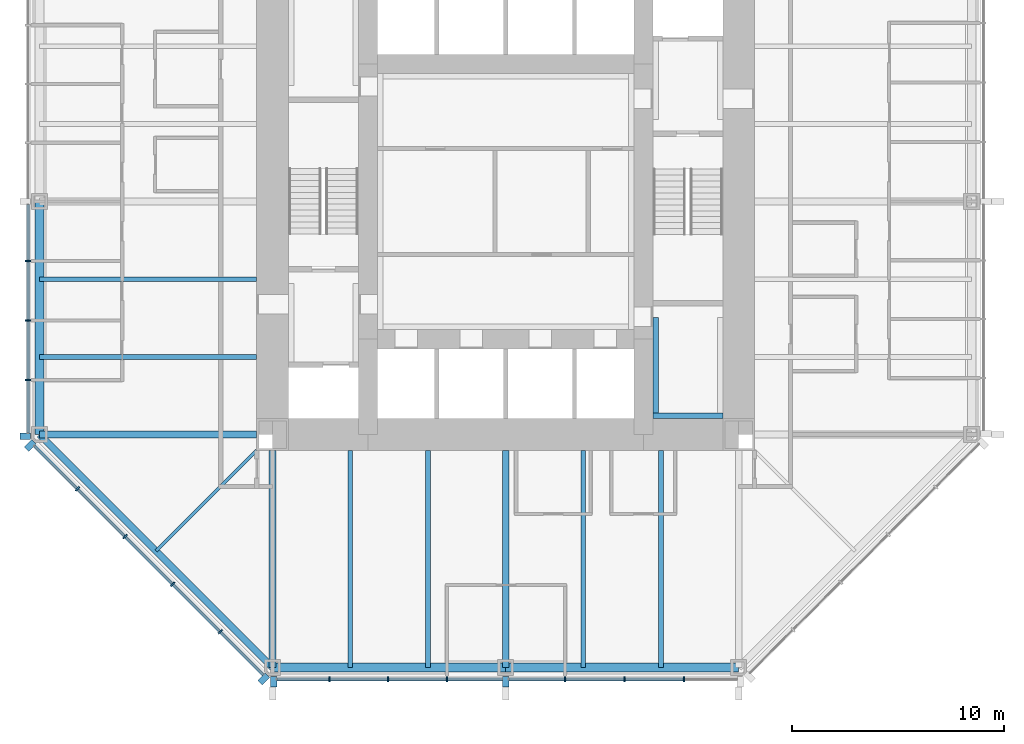
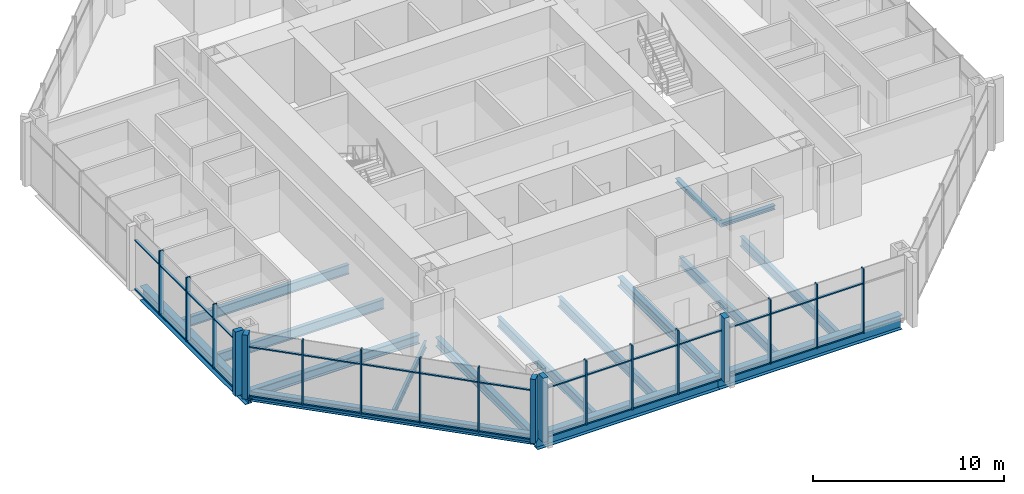
# One storey, part 2 of 14: 50 members, 16 beams, 3 elements without a shape of their own.
"""IFC4 building model written with IfcOpenShell, lengths in metres."""

from ifc_helpers import new_model, si_unit, direction, frame, origin, origin_2d, place, context, subcontext, project, spatial, rectangle, i_section, extrude, material, material_profile, profile_set, type_object, element, aggregate, save


model = new_model("IFC4")

# Units and contexts
model_context = context("Model", 3, precision=1e-05, world=origin(), true_north=direction((0.0, 1.0)))
body_context = subcontext(model_context, "Body", "Model", "MODEL_VIEW")
ifc_project = project(units=[si_unit("LENGTHUNIT", "METRE"), si_unit("AREAUNIT", "SQUARE_METRE"), si_unit("VOLUMEUNIT", "CUBIC_METRE"), si_unit("PLANEANGLEUNIT", "RADIAN"), si_unit("MASSUNIT", "GRAM", prefix="KILO")], contexts=[model_context])

# Site, building, storey
site_placement = place(None, origin())
site = spatial("IfcSite", under=ifc_project, at=site_placement, CompositionType="ELEMENT")
building_placement = place(site_placement, origin())
building = spatial("IfcBuilding", under=site, at=building_placement, Name="Trevanion Tower", CompositionType="ELEMENT")
storey_placement = place(building_placement, frame((0.0, 0.0, 104.89990234375)))
storey = spatial("IfcBuildingStorey", under=building, at=storey_placement, Name="L24", CompositionType="ELEMENT", Elevation=104.89990234375)

# Beams
ifc_material_1 = material(Name="Steel ASTM A992 Grade 50", Category="steel")
ifc_material_profile_1 = material_profile(ifc_material_1, i_section(OverallWidth=0.22900390625, OverallDepth=0.612060546875, WebThickness=0.011962890625, FlangeThickness=0.01953125, at=origin_2d()), Name="W24X84")
ifc_profile_set_1 = profile_set([ifc_material_profile_1], Name="Steel ASTM A992 Grade 50")
beam_type_1 = type_object("IfcBeamType", Name="B7 W24X84", PredefinedType="BEAM", material=ifc_profile_set_1)
for number, where, z_axis, x_axis, name in (
    (1, (-11.75, -3.666748046875, -0.49609375), (-1.0, 0.0, 0.0), (0.0, -1.0, 0.0), "B7 L24"),
    (2, (-11.75, -7.333251953125, -0.49609375), (-1.0, 0.0, 0.0), (0.0, -1.0, 0.0), "B7 L24"),
    (3, (-7.333251953125, -11.75, -0.49609375), (0.0, -1.0, 0.0), (1.0, 0.0, 0.0), "B7 L24"),
    (4, (-3.666748046875, -11.75, -0.49609375), (0.0, -1.0, 0.0), (1.0, 0.0, 0.0), "B7 L24"),
    (5, (3.666748046875, -11.75, -0.49609375), (0.0, -1.0, 0.0), (1.0, 0.0, 0.0), "B7 L24"),
    (6, (7.333251953125, -11.75, -0.49609375), (0.0, -1.0, 0.0), (1.0, 0.0, 0.0), "B7 L24"),
):
    element("IfcBeam", number, at=place(storey_placement, frame(where, z_axis=z_axis, x_axis=x_axis)), inside=storey, type_object=beam_type_1, Name=name, PredefinedType="BEAM", context=body_context, shape_type="SweptSolid", body=[
        extrude(i_section(OverallWidth=0.22900390625, OverallDepth=0.612060546875, WebThickness=0.011962890625, FlangeThickness=0.01953125, at=origin_2d()), origin(), (0.0, 0.0, 1.0), 10.25),
    ])
ifc_material_2 = material(Name="Steel ASTM A992 Grade 50", Category="steel")
ifc_material_profile_2 = material_profile(ifc_material_2, i_section(OverallWidth=0.15234375, OverallDepth=0.449462890625, WebThickness=0.007568359375, FlangeThickness=0.0107421875, at=origin_2d()), Name="W18X35")
ifc_profile_set_2 = profile_set([ifc_material_profile_2], Name="Steel ASTM A992 Grade 50")
beam_type_2 = type_object("IfcBeamType", Name="B8 W18X35", PredefinedType="BEAM", material=ifc_profile_set_2)
beam_1_placement = place(storey_placement, frame((-11.75, -11.75, -0.414794921875), z_axis=(-0.707106781187, -0.707106781187, 0.0), x_axis=(0.707106781187, -0.707106781187, 0.0)))
element("IfcBeam", 7, at=beam_1_placement, inside=storey, type_object=beam_type_2, Name="B8 L24", PredefinedType="BEAM", context=body_context, shape_type="SweptSolid", body=[
    extrude(i_section(OverallWidth=0.15234375, OverallDepth=0.449462890625, WebThickness=0.007568359375, FlangeThickness=0.0107421875, at=origin_2d()), origin(), (0.0, 0.0, 1.0), 6.717529296875),
])

# Curtain wall, members
ifc_material_3 = material(Name="Aluminium and glass", Category="aluminium")
curtain_wall_type = type_object("IfcCurtainWallType", Name="CW2 curtain wall", PredefinedType="USERDEFINED", material=ifc_material_3)
curtain_wall_1_placement = place(storey_placement, origin())
curtain_wall_1 = element("IfcCurtainWall", 8, at=curtain_wall_1_placement, inside=storey, type_object=curtain_wall_type, Name="CW2 L24 4", ObjectType="UNITISED CURTAIN WALL", PredefinedType="USERDEFINED")
ifc_material_4 = material(Name="Aluminium extrusion, anodised bronze", Category="aluminium")
ifc_material_profile_3 = material_profile(ifc_material_4, rectangle(XDim=0.074951171875, YDim=0.25, at=origin_2d()), Name="CW2 mullion")
ifc_profile_set_3 = profile_set([ifc_material_profile_3], Name="Aluminium extrusion, anodised bronze")
member_type_1 = type_object("IfcMemberType", Name="CW2 mullion", PredefinedType="MULLION", material=ifc_profile_set_3)
member_1_placement = place(storey_placement, frame((-22.550048828125, -2.806884765625, -0.18994140625), z_axis=(0.0, 0.0, 1.0), x_axis=(0.0, -1.0, 0.0)))
member_1 = element("IfcMember", 9, at=member_1_placement, type_object=member_type_1, Name="CW2 mullion 6", PredefinedType="MULLION", context=body_context, shape_type="SweptSolid", body=[
    extrude(rectangle(XDim=0.074951171875, YDim=0.25, at=origin_2d()), origin(), (0.0, 0.0, 1.0), 4.10009765625),
])
member_2_placement = place(storey_placement, frame((-22.550048828125, -5.614013671875, -0.18994140625), z_axis=(0.0, 0.0, 1.0), x_axis=(0.0, -1.0, 0.0)))
member_2 = element("IfcMember", 10, at=member_2_placement, type_object=member_type_1, Name="CW2 mullion 7", PredefinedType="MULLION", context=body_context, shape_type="SweptSolid", body=[
    extrude(rectangle(XDim=0.074951171875, YDim=0.25, at=origin_2d()), origin(), (0.0, 0.0, 1.0), 4.10009765625),
])
member_3_placement = place(storey_placement, frame((-22.550048828125, -8.4208984375, -0.18994140625), z_axis=(0.0, 0.0, 1.0), x_axis=(0.0, -1.0, 0.0)))
member_3 = element("IfcMember", 11, at=member_3_placement, type_object=member_type_1, Name="CW2 mullion 8", PredefinedType="MULLION", context=body_context, shape_type="SweptSolid", body=[
    extrude(rectangle(XDim=0.074951171875, YDim=0.25, at=origin_2d()), origin(), (0.0, 0.0, 1.0), 4.10009765625),
])

curtain_wall_2_placement = place(storey_placement, origin())
curtain_wall_2 = element("IfcCurtainWall", 12, at=curtain_wall_2_placement, inside=storey, type_object=curtain_wall_type, Name="CW2 L24 5", ObjectType="UNITISED CURTAIN WALL", PredefinedType="USERDEFINED")
member_4_placement = place(storey_placement, frame((-20.2119140625, -13.56591796875, -0.18994140625), z_axis=(0.0, 0.0, 1.0), x_axis=(0.707106781187, -0.707106781187, 0.0)))
member_4 = element("IfcMember", 13, at=member_4_placement, type_object=member_type_1, Name="CW2 mullion 2", PredefinedType="MULLION", context=body_context, shape_type="SweptSolid", body=[
    extrude(rectangle(XDim=0.074951171875, YDim=0.25, at=origin_2d()), origin(), (0.0, 0.0, 1.0), 4.10009765625),
])
member_5_placement = place(storey_placement, frame((-17.966064453125, -15.811767578125, -0.18994140625), z_axis=(0.0, 0.0, 1.0), x_axis=(0.707106781187, -0.707106781187, 0.0)))
member_5 = element("IfcMember", 14, at=member_5_placement, type_object=member_type_1, Name="CW2 mullion 3", PredefinedType="MULLION", context=body_context, shape_type="SweptSolid", body=[
    extrude(rectangle(XDim=0.074951171875, YDim=0.25, at=origin_2d()), origin(), (0.0, 0.0, 1.0), 4.10009765625),
])
member_6_placement = place(storey_placement, frame((-15.719970703125, -18.057861328125, -0.18994140625), z_axis=(0.0, 0.0, 1.0), x_axis=(0.707106781187, -0.707106781187, 0.0)))
member_6 = element("IfcMember", 15, at=member_6_placement, type_object=member_type_1, Name="CW2 mullion 4", PredefinedType="MULLION", context=body_context, shape_type="SweptSolid", body=[
    extrude(rectangle(XDim=0.074951171875, YDim=0.25, at=origin_2d()), origin(), (0.0, 0.0, 1.0), 4.10009765625),
])
member_7_placement = place(storey_placement, frame((-13.473876953125, -20.303955078125, -0.18994140625), z_axis=(0.0, 0.0, 1.0), x_axis=(0.707106781187, -0.707106781187, 0.0)))
member_7 = element("IfcMember", 16, at=member_7_placement, type_object=member_type_1, Name="CW2 mullion 5", PredefinedType="MULLION", context=body_context, shape_type="SweptSolid", body=[
    extrude(rectangle(XDim=0.074951171875, YDim=0.25, at=origin_2d()), origin(), (0.0, 0.0, 1.0), 4.10009765625),
])

curtain_wall_3_placement = place(storey_placement, origin())
curtain_wall_3 = element("IfcCurtainWall", 17, at=curtain_wall_3_placement, inside=storey, type_object=curtain_wall_type, Name="CW2 L24 6", ObjectType="UNITISED CURTAIN WALL", PredefinedType="USERDEFINED")
member_8_placement = place(storey_placement, frame((-8.323486328125, -22.550048828125, -0.18994140625), z_axis=(0.0, 0.0, 1.0), x_axis=(1.0, 0.0, 0.0)))
member_8 = element("IfcMember", 18, at=member_8_placement, type_object=member_type_1, Name="CW2 mullion 2", PredefinedType="MULLION", context=body_context, shape_type="SweptSolid", body=[
    extrude(rectangle(XDim=0.074951171875, YDim=0.25, at=origin_2d()), origin(), (0.0, 0.0, 1.0), 4.10009765625),
])
member_9_placement = place(storey_placement, frame((-5.548828125, -22.550048828125, -0.18994140625), z_axis=(0.0, 0.0, 1.0), x_axis=(1.0, 0.0, 0.0)))
member_9 = element("IfcMember", 19, at=member_9_placement, type_object=member_type_1, Name="CW2 mullion 3", PredefinedType="MULLION", context=body_context, shape_type="SweptSolid", body=[
    extrude(rectangle(XDim=0.074951171875, YDim=0.25, at=origin_2d()), origin(), (0.0, 0.0, 1.0), 4.10009765625),
])
member_10_placement = place(storey_placement, frame((-2.7744140625, -22.550048828125, -0.18994140625), z_axis=(0.0, 0.0, 1.0), x_axis=(1.0, 0.0, 0.0)))
member_10 = element("IfcMember", 20, at=member_10_placement, type_object=member_type_1, Name="CW2 mullion 4", PredefinedType="MULLION", context=body_context, shape_type="SweptSolid", body=[
    extrude(rectangle(XDim=0.074951171875, YDim=0.25, at=origin_2d()), origin(), (0.0, 0.0, 1.0), 4.10009765625),
])
member_11_placement = place(storey_placement, frame((2.806884765625, -22.550048828125, -0.18994140625), z_axis=(0.0, 0.0, 1.0), x_axis=(1.0, 0.0, 0.0)))
member_11 = element("IfcMember", 21, at=member_11_placement, type_object=member_type_1, Name="CW2 mullion 6", PredefinedType="MULLION", context=body_context, shape_type="SweptSolid", body=[
    extrude(rectangle(XDim=0.074951171875, YDim=0.25, at=origin_2d()), origin(), (0.0, 0.0, 1.0), 4.10009765625),
])
member_12_placement = place(storey_placement, frame((5.614013671875, -22.550048828125, -0.18994140625), z_axis=(0.0, 0.0, 1.0), x_axis=(1.0, 0.0, 0.0)))
member_12 = element("IfcMember", 22, at=member_12_placement, type_object=member_type_1, Name="CW2 mullion 7", PredefinedType="MULLION", context=body_context, shape_type="SweptSolid", body=[
    extrude(rectangle(XDim=0.074951171875, YDim=0.25, at=origin_2d()), origin(), (0.0, 0.0, 1.0), 4.10009765625),
])
member_13_placement = place(storey_placement, frame((8.4208984375, -22.550048828125, -0.18994140625), z_axis=(0.0, 0.0, 1.0), x_axis=(1.0, 0.0, 0.0)))
member_13 = element("IfcMember", 23, at=member_13_placement, type_object=member_type_1, Name="CW2 mullion 8", PredefinedType="MULLION", context=body_context, shape_type="SweptSolid", body=[
    extrude(rectangle(XDim=0.074951171875, YDim=0.25, at=origin_2d()), origin(), (0.0, 0.0, 1.0), 4.10009765625),
])

# Member
ifc_material_5 = material(Name="Aluminium extrusion, anodised bronze", Category="aluminium")
ifc_material_profile_4 = material_profile(ifc_material_5, rectangle(XDim=0.300048828125, YDim=0.5, at=origin_2d()), Name="CW2 pier mullion")
ifc_profile_set_4 = profile_set([ifc_material_profile_4], Name="Aluminium extrusion, anodised bronze")
member_type_2 = type_object("IfcMemberType", Name="CW2 pier mullion", PredefinedType="MULLION", material=ifc_profile_set_4)
member_14_placement = place(storey_placement, frame((-22.675048828125, -11.077880859375, -0.18994140625), z_axis=(0.0, 0.0, 1.0), x_axis=(0.0, -1.0, 0.0)))
member_14 = element("IfcMember", 24, at=member_14_placement, type_object=member_type_2, Name="CW2 pier mullion 9", PredefinedType="MULLION", context=body_context, shape_type="SweptSolid", body=[
    extrude(rectangle(XDim=0.300048828125, YDim=0.5, at=origin_2d()), origin(), (0.0, 0.0, 1.0), 4.10009765625),
])

member_15_placement = place(storey_placement, frame((-22.4404296875, -11.51416015625, -0.18994140625), z_axis=(0.0, 0.0, 1.0), x_axis=(0.707106781187, -0.707106781187, 0.0)))
member_15 = element("IfcMember", 25, at=member_15_placement, type_object=member_type_2, Name="CW2 pier mullion 1", PredefinedType="MULLION", context=body_context, shape_type="SweptSolid", body=[
    extrude(rectangle(XDim=0.300048828125, YDim=0.5, at=origin_2d()), origin(), (0.0, 0.0, 1.0), 4.10009765625),
])

member_16_placement = place(storey_placement, frame((-11.42236328125, -22.5322265625, -0.18994140625), z_axis=(0.0, 0.0, 1.0), x_axis=(0.707106781187, -0.707106781187, 0.0)))
member_16 = element("IfcMember", 26, at=member_16_placement, type_object=member_type_2, Name="CW2 pier mullion 6", PredefinedType="MULLION", context=body_context, shape_type="SweptSolid", body=[
    extrude(rectangle(XDim=0.300048828125, YDim=0.5, at=origin_2d()), origin(), (0.0, 0.0, 1.0), 4.10009765625),
])

member_17_placement = place(storey_placement, frame((-10.94775390625, -22.675048828125, -0.18994140625), z_axis=(0.0, 0.0, 1.0), x_axis=(1.0, 0.0, 0.0)))
member_17 = element("IfcMember", 27, at=member_17_placement, type_object=member_type_2, Name="CW2 pier mullion 1", PredefinedType="MULLION", context=body_context, shape_type="SweptSolid", body=[
    extrude(rectangle(XDim=0.300048828125, YDim=0.5, at=origin_2d()), origin(), (0.0, 0.0, 1.0), 4.10009765625),
])

member_18_placement = place(storey_placement, frame((0.0, -22.675048828125, -0.18994140625), z_axis=(0.0, 0.0, 1.0), x_axis=(1.0, 0.0, 0.0)))
member_18 = element("IfcMember", 28, at=member_18_placement, type_object=member_type_2, Name="CW2 pier mullion 5", PredefinedType="MULLION", context=body_context, shape_type="SweptSolid", body=[
    extrude(rectangle(XDim=0.300048828125, YDim=0.5, at=origin_2d()), origin(), (0.0, 0.0, 1.0), 4.10009765625),
])

ifc_material_6 = material(Name="Aluminium extrusion, anodised bronze", Category="aluminium")
ifc_material_profile_5 = material_profile(ifc_material_6, rectangle(XDim=0.14990234375, YDim=0.074951171875, at=origin_2d()), Name="CW2 transom")
ifc_profile_set_5 = profile_set([ifc_material_profile_5], Name="Aluminium extrusion, anodised bronze")
member_type_3 = type_object("IfcMemberType", Name="CW2 transom", PredefinedType="USERDEFINED", material=ifc_profile_set_5)
member_19_placement = place(storey_placement, frame((-22.550048828125, -0.14990234375, -0.15234375), z_axis=(0.0, -1.0, 0.0), x_axis=(1.0, 0.0, 0.0)))
member_19 = element("IfcMember", 29, at=member_19_placement, type_object=member_type_3, Name="CW2 transom 5.1", ObjectType="TRANSOM", PredefinedType="USERDEFINED", context=body_context, shape_type="SweptSolid", body=[
    extrude(rectangle(XDim=0.14990234375, YDim=0.074951171875, at=origin_2d()), origin(), (0.0, 0.0, 1.0), 2.619384765625),
])

member_20_placement = place(storey_placement, frame((-22.550048828125, -0.14990234375, 2.960205078125), z_axis=(0.0, -1.0, 0.0), x_axis=(1.0, 0.0, 0.0)))
member_20 = element("IfcMember", 30, at=member_20_placement, type_object=member_type_3, Name="CW2 transom 5.2", ObjectType="TRANSOM", PredefinedType="USERDEFINED", context=body_context, shape_type="SweptSolid", body=[
    extrude(rectangle(XDim=0.14990234375, YDim=0.074951171875, at=origin_2d()), origin(), (0.0, 0.0, 1.0), 2.619384765625),
])

member_21_placement = place(storey_placement, frame((-22.550048828125, -2.844482421875, -0.15234375), z_axis=(0.0, -1.0, 0.0), x_axis=(1.0, 0.0, 0.0)))
member_21 = element("IfcMember", 31, at=member_21_placement, type_object=member_type_3, Name="CW2 transom 6.1", ObjectType="TRANSOM", PredefinedType="USERDEFINED", context=body_context, shape_type="SweptSolid", body=[
    extrude(rectangle(XDim=0.14990234375, YDim=0.074951171875, at=origin_2d()), origin(), (0.0, 0.0, 1.0), 2.73193359375),
])

member_22_placement = place(storey_placement, frame((-22.550048828125, -2.844482421875, 2.960205078125), z_axis=(0.0, -1.0, 0.0), x_axis=(1.0, 0.0, 0.0)))
member_22 = element("IfcMember", 32, at=member_22_placement, type_object=member_type_3, Name="CW2 transom 6.2", ObjectType="TRANSOM", PredefinedType="USERDEFINED", context=body_context, shape_type="SweptSolid", body=[
    extrude(rectangle(XDim=0.14990234375, YDim=0.074951171875, at=origin_2d()), origin(), (0.0, 0.0, 1.0), 2.73193359375),
])

member_23_placement = place(storey_placement, frame((-22.550048828125, -5.6513671875, -0.15234375), z_axis=(0.0, -1.0, 0.0), x_axis=(1.0, 0.0, 0.0)))
member_23 = element("IfcMember", 33, at=member_23_placement, type_object=member_type_3, Name="CW2 transom 7.1", ObjectType="TRANSOM", PredefinedType="USERDEFINED", context=body_context, shape_type="SweptSolid", body=[
    extrude(rectangle(XDim=0.14990234375, YDim=0.074951171875, at=origin_2d()), origin(), (0.0, 0.0, 1.0), 2.73193359375),
])

member_24_placement = place(storey_placement, frame((-22.550048828125, -5.6513671875, 2.960205078125), z_axis=(0.0, -1.0, 0.0), x_axis=(1.0, 0.0, 0.0)))
member_24 = element("IfcMember", 34, at=member_24_placement, type_object=member_type_3, Name="CW2 transom 7.2", ObjectType="TRANSOM", PredefinedType="USERDEFINED", context=body_context, shape_type="SweptSolid", body=[
    extrude(rectangle(XDim=0.14990234375, YDim=0.074951171875, at=origin_2d()), origin(), (0.0, 0.0, 1.0), 2.73193359375),
])

member_25_placement = place(storey_placement, frame((-22.550048828125, -8.45849609375, -0.15234375), z_axis=(0.0, -1.0, 0.0), x_axis=(1.0, 0.0, 0.0)))
member_25 = element("IfcMember", 35, at=member_25_placement, type_object=member_type_3, Name="CW2 transom 8.1", ObjectType="TRANSOM", PredefinedType="USERDEFINED", context=body_context, shape_type="SweptSolid", body=[
    extrude(rectangle(XDim=0.14990234375, YDim=0.074951171875, at=origin_2d()), origin(), (0.0, 0.0, 1.0), 2.46923828125),
])

member_26_placement = place(storey_placement, frame((-22.550048828125, -8.45849609375, 2.960205078125), z_axis=(0.0, -1.0, 0.0), x_axis=(1.0, 0.0, 0.0)))
member_26 = element("IfcMember", 36, at=member_26_placement, type_object=member_type_3, Name="CW2 transom 8.2", ObjectType="TRANSOM", PredefinedType="USERDEFINED", context=body_context, shape_type="SweptSolid", body=[
    extrude(rectangle(XDim=0.14990234375, YDim=0.074951171875, at=origin_2d()), origin(), (0.0, 0.0, 1.0), 2.46923828125),
])

aggregate(curtain_wall_1, [member_1, member_2, member_3, member_14, member_19, member_20, member_21, member_22, member_23, member_24, member_25, member_26])

member_27_placement = place(storey_placement, frame((-22.245849609375, -11.531982421875, -0.15234375), z_axis=(0.707106781187, -0.707106781187, 0.0), x_axis=(0.707106781187, 0.707106781187, 0.0)))
member_27 = element("IfcMember", 37, at=member_27_placement, type_object=member_type_3, Name="CW2 transom 1.1", ObjectType="TRANSOM", PredefinedType="USERDEFINED", context=body_context, shape_type="SweptSolid", body=[
    extrude(rectangle(XDim=0.14990234375, YDim=0.074951171875, at=origin_2d()), origin(), (0.0, 0.0, 1.0), 2.8388671875),
])

member_28_placement = place(storey_placement, frame((-22.245849609375, -11.531982421875, 2.960205078125), z_axis=(0.707106781187, -0.707106781187, 0.0), x_axis=(0.707106781187, 0.707106781187, 0.0)))
member_28 = element("IfcMember", 38, at=member_28_placement, type_object=member_type_3, Name="CW2 transom 1.2", ObjectType="TRANSOM", PredefinedType="USERDEFINED", context=body_context, shape_type="SweptSolid", body=[
    extrude(rectangle(XDim=0.14990234375, YDim=0.074951171875, at=origin_2d()), origin(), (0.0, 0.0, 1.0), 2.8388671875),
])

member_29_placement = place(storey_placement, frame((-20.185546875, -13.59228515625, -0.15234375), z_axis=(0.707106781187, -0.707106781187, 0.0), x_axis=(0.707106781187, 0.707106781187, 0.0)))
member_29 = element("IfcMember", 39, at=member_29_placement, type_object=member_type_3, Name="CW2 transom 2.1", ObjectType="TRANSOM", PredefinedType="USERDEFINED", context=body_context, shape_type="SweptSolid", body=[
    extrude(rectangle(XDim=0.14990234375, YDim=0.074951171875, at=origin_2d()), origin(), (0.0, 0.0, 1.0), 3.1015625),
])

member_30_placement = place(storey_placement, frame((-20.185546875, -13.59228515625, 2.960205078125), z_axis=(0.707106781187, -0.707106781187, 0.0), x_axis=(0.707106781187, 0.707106781187, 0.0)))
member_30 = element("IfcMember", 40, at=member_30_placement, type_object=member_type_3, Name="CW2 transom 2.2", ObjectType="TRANSOM", PredefinedType="USERDEFINED", context=body_context, shape_type="SweptSolid", body=[
    extrude(rectangle(XDim=0.14990234375, YDim=0.074951171875, at=origin_2d()), origin(), (0.0, 0.0, 1.0), 3.1015625),
])

member_31_placement = place(storey_placement, frame((-17.939453125, -15.83837890625, -0.15234375), z_axis=(0.707106781187, -0.707106781187, 0.0), x_axis=(0.707106781187, 0.707106781187, 0.0)))
member_31 = element("IfcMember", 41, at=member_31_placement, type_object=member_type_3, Name="CW2 transom 3.1", ObjectType="TRANSOM", PredefinedType="USERDEFINED", context=body_context, shape_type="SweptSolid", body=[
    extrude(rectangle(XDim=0.14990234375, YDim=0.074951171875, at=origin_2d()), origin(), (0.0, 0.0, 1.0), 3.1015625),
])

member_32_placement = place(storey_placement, frame((-17.939453125, -15.83837890625, 2.960205078125), z_axis=(0.707106781187, -0.707106781187, 0.0), x_axis=(0.707106781187, 0.707106781187, 0.0)))
member_32 = element("IfcMember", 42, at=member_32_placement, type_object=member_type_3, Name="CW2 transom 3.2", ObjectType="TRANSOM", PredefinedType="USERDEFINED", context=body_context, shape_type="SweptSolid", body=[
    extrude(rectangle(XDim=0.14990234375, YDim=0.074951171875, at=origin_2d()), origin(), (0.0, 0.0, 1.0), 3.1015625),
])

member_33_placement = place(storey_placement, frame((-15.693359375, -18.08447265625, -0.15234375), z_axis=(0.707106781187, -0.707106781187, 0.0), x_axis=(0.707106781187, 0.707106781187, 0.0)))
member_33 = element("IfcMember", 43, at=member_33_placement, type_object=member_type_3, Name="CW2 transom 4.1", ObjectType="TRANSOM", PredefinedType="USERDEFINED", context=body_context, shape_type="SweptSolid", body=[
    extrude(rectangle(XDim=0.14990234375, YDim=0.074951171875, at=origin_2d()), origin(), (0.0, 0.0, 1.0), 3.10107421875),
])

member_34_placement = place(storey_placement, frame((-15.693359375, -18.08447265625, 2.960205078125), z_axis=(0.707106781187, -0.707106781187, 0.0), x_axis=(0.707106781187, 0.707106781187, 0.0)))
member_34 = element("IfcMember", 44, at=member_34_placement, type_object=member_type_3, Name="CW2 transom 4.2", ObjectType="TRANSOM", PredefinedType="USERDEFINED", context=body_context, shape_type="SweptSolid", body=[
    extrude(rectangle(XDim=0.14990234375, YDim=0.074951171875, at=origin_2d()), origin(), (0.0, 0.0, 1.0), 3.10107421875),
])

member_35_placement = place(storey_placement, frame((-13.447509765625, -20.33056640625, -0.15234375), z_axis=(0.707149778163, -0.707063781595, 0.0), x_axis=(0.707063781595, 0.707149778163, 0.0)))
member_35 = element("IfcMember", 45, at=member_35_placement, type_object=member_type_3, Name="CW2 transom 5.1", ObjectType="TRANSOM", PredefinedType="USERDEFINED", context=body_context, shape_type="SweptSolid", body=[
    extrude(rectangle(XDim=0.14990234375, YDim=0.074951171875, at=origin_2d()), origin(), (0.0, 0.0, 1.0), 2.8388671875),
])

member_36_placement = place(storey_placement, frame((-13.447509765625, -20.33056640625, 2.960205078125), z_axis=(0.707149778163, -0.707063781595, 0.0), x_axis=(0.707063781595, 0.707149778163, 0.0)))
member_36 = element("IfcMember", 46, at=member_36_placement, type_object=member_type_3, Name="CW2 transom 5.2", ObjectType="TRANSOM", PredefinedType="USERDEFINED", context=body_context, shape_type="SweptSolid", body=[
    extrude(rectangle(XDim=0.14990234375, YDim=0.074951171875, at=origin_2d()), origin(), (0.0, 0.0, 1.0), 2.8388671875),
])

aggregate(curtain_wall_2, [member_15, member_4, member_5, member_6, member_7, member_16, member_27, member_28, member_29, member_30, member_31, member_32, member_33, member_34, member_35, member_36])

member_37_placement = place(storey_placement, frame((-10.7978515625, -22.550048828125, -0.15234375), z_axis=(1.0, 0.0, 0.0), x_axis=(0.0, 1.0, 0.0)))
member_37 = element("IfcMember", 47, at=member_37_placement, type_object=member_type_3, Name="CW2 transom 1.1", ObjectType="TRANSOM", PredefinedType="USERDEFINED", context=body_context, shape_type="SweptSolid", body=[
    extrude(rectangle(XDim=0.14990234375, YDim=0.074951171875, at=origin_2d()), origin(), (0.0, 0.0, 1.0), 2.43701171875),
])

member_38_placement = place(storey_placement, frame((-10.7978515625, -22.550048828125, 2.960205078125), z_axis=(1.0, 0.0, 0.0), x_axis=(0.0, 1.0, 0.0)))
member_38 = element("IfcMember", 48, at=member_38_placement, type_object=member_type_3, Name="CW2 transom 1.2", ObjectType="TRANSOM", PredefinedType="USERDEFINED", context=body_context, shape_type="SweptSolid", body=[
    extrude(rectangle(XDim=0.14990234375, YDim=0.074951171875, at=origin_2d()), origin(), (0.0, 0.0, 1.0), 2.43701171875),
])

member_39_placement = place(storey_placement, frame((-8.285888671875, -22.550048828125, -0.15234375), z_axis=(1.0, 0.0, 0.0), x_axis=(0.0, 1.0, 0.0)))
member_39 = element("IfcMember", 49, at=member_39_placement, type_object=member_type_3, Name="CW2 transom 2.1", ObjectType="TRANSOM", PredefinedType="USERDEFINED", context=body_context, shape_type="SweptSolid", body=[
    extrude(rectangle(XDim=0.14990234375, YDim=0.074951171875, at=origin_2d()), origin(), (0.0, 0.0, 1.0), 2.699462890625),
])

member_40_placement = place(storey_placement, frame((-8.285888671875, -22.550048828125, 2.960205078125), z_axis=(1.0, 0.0, 0.0), x_axis=(0.0, 1.0, 0.0)))
member_40 = element("IfcMember", 50, at=member_40_placement, type_object=member_type_3, Name="CW2 transom 2.2", ObjectType="TRANSOM", PredefinedType="USERDEFINED", context=body_context, shape_type="SweptSolid", body=[
    extrude(rectangle(XDim=0.14990234375, YDim=0.074951171875, at=origin_2d()), origin(), (0.0, 0.0, 1.0), 2.699462890625),
])

member_41_placement = place(storey_placement, frame((-5.511474609375, -22.550048828125, -0.15234375), z_axis=(1.0, 0.0, 0.0), x_axis=(0.0, 1.0, 0.0)))
member_41 = element("IfcMember", 51, at=member_41_placement, type_object=member_type_3, Name="CW2 transom 3.1", ObjectType="TRANSOM", PredefinedType="USERDEFINED", context=body_context, shape_type="SweptSolid", body=[
    extrude(rectangle(XDim=0.14990234375, YDim=0.074951171875, at=origin_2d()), origin(), (0.0, 0.0, 1.0), 2.699462890625),
])

member_42_placement = place(storey_placement, frame((-5.511474609375, -22.550048828125, 2.960205078125), z_axis=(1.0, 0.0, 0.0), x_axis=(0.0, 1.0, 0.0)))
member_42 = element("IfcMember", 52, at=member_42_placement, type_object=member_type_3, Name="CW2 transom 3.2", ObjectType="TRANSOM", PredefinedType="USERDEFINED", context=body_context, shape_type="SweptSolid", body=[
    extrude(rectangle(XDim=0.14990234375, YDim=0.074951171875, at=origin_2d()), origin(), (0.0, 0.0, 1.0), 2.699462890625),
])

member_43_placement = place(storey_placement, frame((-2.737060546875, -22.550048828125, -0.15234375), z_axis=(1.0, 0.0, 0.0), x_axis=(0.0, 1.0, 0.0)))
member_43 = element("IfcMember", 53, at=member_43_placement, type_object=member_type_3, Name="CW2 transom 4.1", ObjectType="TRANSOM", PredefinedType="USERDEFINED", context=body_context, shape_type="SweptSolid", body=[
    extrude(rectangle(XDim=0.14990234375, YDim=0.074951171875, at=origin_2d()), origin(), (0.0, 0.0, 1.0), 2.587158203125),
])

member_44_placement = place(storey_placement, frame((-2.737060546875, -22.550048828125, 2.960205078125), z_axis=(1.0, 0.0, 0.0), x_axis=(0.0, 1.0, 0.0)))
member_44 = element("IfcMember", 54, at=member_44_placement, type_object=member_type_3, Name="CW2 transom 4.2", ObjectType="TRANSOM", PredefinedType="USERDEFINED", context=body_context, shape_type="SweptSolid", body=[
    extrude(rectangle(XDim=0.14990234375, YDim=0.074951171875, at=origin_2d()), origin(), (0.0, 0.0, 1.0), 2.587158203125),
])

member_45_placement = place(storey_placement, frame((0.14990234375, -22.550048828125, -0.15234375), z_axis=(1.0, 0.0, 0.0), x_axis=(0.0, 1.0, 0.0)))
member_45 = element("IfcMember", 55, at=member_45_placement, type_object=member_type_3, Name="CW2 transom 5.1", ObjectType="TRANSOM", PredefinedType="USERDEFINED", context=body_context, shape_type="SweptSolid", body=[
    extrude(rectangle(XDim=0.14990234375, YDim=0.074951171875, at=origin_2d()), origin(), (0.0, 0.0, 1.0), 2.619384765625),
])

member_46_placement = place(storey_placement, frame((0.14990234375, -22.550048828125, 2.960205078125), z_axis=(1.0, 0.0, 0.0), x_axis=(0.0, 1.0, 0.0)))
member_46 = element("IfcMember", 56, at=member_46_placement, type_object=member_type_3, Name="CW2 transom 5.2", ObjectType="TRANSOM", PredefinedType="USERDEFINED", context=body_context, shape_type="SweptSolid", body=[
    extrude(rectangle(XDim=0.14990234375, YDim=0.074951171875, at=origin_2d()), origin(), (0.0, 0.0, 1.0), 2.619384765625),
])

member_47_placement = place(storey_placement, frame((2.844482421875, -22.550048828125, -0.15234375), z_axis=(1.0, 0.0, 0.0), x_axis=(0.0, 1.0, 0.0)))
member_47 = element("IfcMember", 57, at=member_47_placement, type_object=member_type_3, Name="CW2 transom 6.1", ObjectType="TRANSOM", PredefinedType="USERDEFINED", context=body_context, shape_type="SweptSolid", body=[
    extrude(rectangle(XDim=0.14990234375, YDim=0.074951171875, at=origin_2d()), origin(), (0.0, 0.0, 1.0), 2.73193359375),
])

member_48_placement = place(storey_placement, frame((2.844482421875, -22.550048828125, 2.960205078125), z_axis=(1.0, 0.0, 0.0), x_axis=(0.0, 1.0, 0.0)))
member_48 = element("IfcMember", 58, at=member_48_placement, type_object=member_type_3, Name="CW2 transom 6.2", ObjectType="TRANSOM", PredefinedType="USERDEFINED", context=body_context, shape_type="SweptSolid", body=[
    extrude(rectangle(XDim=0.14990234375, YDim=0.074951171875, at=origin_2d()), origin(), (0.0, 0.0, 1.0), 2.73193359375),
])

member_49_placement = place(storey_placement, frame((5.6513671875, -22.550048828125, -0.15234375), z_axis=(1.0, 0.0, 0.0), x_axis=(0.0, 1.0, 0.0)))
member_49 = element("IfcMember", 59, at=member_49_placement, type_object=member_type_3, Name="CW2 transom 7.1", ObjectType="TRANSOM", PredefinedType="USERDEFINED", context=body_context, shape_type="SweptSolid", body=[
    extrude(rectangle(XDim=0.14990234375, YDim=0.074951171875, at=origin_2d()), origin(), (0.0, 0.0, 1.0), 2.73193359375),
])

member_50_placement = place(storey_placement, frame((5.6513671875, -22.550048828125, 2.960205078125), z_axis=(1.0, 0.0, 0.0), x_axis=(0.0, 1.0, 0.0)))
member_50 = element("IfcMember", 60, at=member_50_placement, type_object=member_type_3, Name="CW2 transom 7.2", ObjectType="TRANSOM", PredefinedType="USERDEFINED", context=body_context, shape_type="SweptSolid", body=[
    extrude(rectangle(XDim=0.14990234375, YDim=0.074951171875, at=origin_2d()), origin(), (0.0, 0.0, 1.0), 2.73193359375),
])

aggregate(curtain_wall_3, [member_17, member_8, member_9, member_10, member_18, member_11, member_12, member_13, member_37, member_38, member_39, member_40, member_41, member_42, member_43, member_44, member_45, member_46, member_47, member_48, member_49, member_50])

# Beams
ifc_material_7 = material(Name="Steel ASTM A992 Grade 50", Category="steel")
ifc_material_profile_6 = material_profile(ifc_material_7, i_section(OverallWidth=0.320068359375, OverallDepth=0.584228515625, WebThickness=0.023193359375, FlangeThickness=0.04150390625, at=origin_2d()), Name="W21X201")
ifc_profile_set_6 = profile_set([ifc_material_profile_6], Name="Steel ASTM A992 Grade 50")
beam_type_3 = type_object("IfcBeamType", Name="G4 W21X201", PredefinedType="BEAM", material=ifc_profile_set_6)
for number, where, z_axis, x_axis, name in (
    (61, (-11.75, -11.0, -0.48193359375), (-1.0, 0.0, 0.0), (0.0, -1.0, 0.0), "G4 L24"),
    (62, (-11.0, -11.75, -0.48193359375), (0.0, -1.0, 0.0), (1.0, 0.0, 0.0), "G4 L24"),
    (63, (0.0, -11.75, -0.48193359375), (0.0, -1.0, 0.0), (1.0, 0.0, 0.0), "G4 L24"),
):
    element("IfcBeam", number, at=place(storey_placement, frame(where, z_axis=z_axis, x_axis=x_axis)), inside=storey, type_object=beam_type_3, Name=name, PredefinedType="BEAM", context=body_context, shape_type="SweptSolid", body=[
        extrude(i_section(OverallWidth=0.320068359375, OverallDepth=0.584228515625, WebThickness=0.023193359375, FlangeThickness=0.04150390625, at=origin_2d()), origin(), (0.0, 0.0, 1.0), 10.25),
    ])
ifc_material_8 = material(Name="Steel ASTM A992 Grade 50", Category="steel")
ifc_material_profile_7 = material_profile(ifc_material_8, i_section(OverallWidth=0.256591796875, OverallDepth=0.26416015625, WebThickness=0.011962890625, FlangeThickness=0.01953125, at=origin_2d()), Name="W10X68")
ifc_profile_set_7 = profile_set([ifc_material_profile_7], Name="Steel ASTM A992 Grade 50")
beam_type_4 = type_object("IfcBeamType", Name="LB1 W10X68", PredefinedType="BEAM", material=ifc_profile_set_7)
beam_2_placement = place(storey_placement, frame((7.078369140625, -10.25, -0.33203125), z_axis=(0.0, 1.0, 0.0), x_axis=(-1.0, 0.0, 0.0)))
element("IfcBeam", 64, at=beam_2_placement, inside=storey, type_object=beam_type_4, Name="LB1 L24", PredefinedType="BEAM", context=body_context, shape_type="SweptSolid", body=[
    extrude(i_section(OverallWidth=0.256591796875, OverallDepth=0.26416015625, WebThickness=0.011962890625, FlangeThickness=0.01953125, at=origin_2d()), origin(), (0.0, 0.0, 1.0), 4.77490234375),
])
beam_3_placement = place(storey_placement, frame((6.949951171875, -10.12158203125, -0.33203125), z_axis=(1.0, 0.0, 0.0), x_axis=(0.0, 1.0, 0.0)))
element("IfcBeam", 65, at=beam_3_placement, inside=storey, type_object=beam_type_4, Name="LB1 L24", PredefinedType="BEAM", context=body_context, shape_type="SweptSolid", body=[
    extrude(i_section(OverallWidth=0.256591796875, OverallDepth=0.26416015625, WebThickness=0.011962890625, FlangeThickness=0.01953125, at=origin_2d()), origin(), (0.0, 0.0, 1.0), 3.300048828125),
])
ifc_material_9 = material(Name="Steel ASTM A992 Grade 50", Category="steel")
ifc_material_profile_8 = material_profile(ifc_material_9, i_section(OverallWidth=0.419189453125, OverallDepth=0.927001953125, WebThickness=0.019287109375, FlangeThickness=0.031982421875, at=origin_2d()), Name="W36X231")
ifc_profile_set_8 = profile_set([ifc_material_profile_8], Name="Steel ASTM A992 Grade 50")
beam_type_5 = type_object("IfcBeamType", Name="SB4 W36X231", PredefinedType="SPANDREL", material=ifc_profile_set_8)
for number, where, z_axis, x_axis, name in (
    (66, (-22.0, 0.0, -0.6533203125), (0.0, -1.0, 0.0), (1.0, 0.0, 0.0), "SB4 L24"),
    (67, (-11.0, -22.0, -0.6533203125), (1.0, 0.0, 0.0), (0.0, 1.0, 0.0), "SB4 L24"),
    (68, (0.0, -22.0, -0.6533203125), (1.0, 0.0, 0.0), (0.0, 1.0, 0.0), "SB4 L24"),
):
    element("IfcBeam", number, at=place(storey_placement, frame(where, z_axis=z_axis, x_axis=x_axis)), inside=storey, type_object=beam_type_5, Name=name, PredefinedType="SPANDREL", context=body_context, shape_type="SweptSolid", body=[
        extrude(i_section(OverallWidth=0.419189453125, OverallDepth=0.927001953125, WebThickness=0.019287109375, FlangeThickness=0.031982421875, at=origin_2d()), origin(), (0.0, 0.0, 1.0), 11.0),
    ])
ifc_material_10 = material(Name="Steel ASTM A992 Grade 50", Category="steel")
ifc_material_profile_9 = material_profile(ifc_material_10, i_section(OverallWidth=0.32763671875, OverallDepth=0.62744140625, WebThickness=0.0166015625, FlangeThickness=0.027587890625, at=origin_2d()), Name="W24X146")
ifc_profile_set_9 = profile_set([ifc_material_profile_9], Name="Steel ASTM A992 Grade 50")
beam_type_6 = type_object("IfcBeamType", Name="SB5 W24X146", PredefinedType="SPANDREL", material=ifc_profile_set_9)
beam_4_placement = place(storey_placement, frame((-22.0, -11.0, -0.503662109375), z_axis=(0.707106781187, -0.707106781187, 0.0), x_axis=(0.707106781187, 0.707106781187, 0.0)))
element("IfcBeam", 69, at=beam_4_placement, inside=storey, type_object=beam_type_6, Name="SB5 L24", PredefinedType="SPANDREL", context=body_context, shape_type="SweptSolid", body=[
    extrude(i_section(OverallWidth=0.32763671875, OverallDepth=0.62744140625, WebThickness=0.0166015625, FlangeThickness=0.027587890625, at=origin_2d()), origin(), (0.0, 0.0, 1.0), 15.556396484375),
])

save(model, "model.ifc")
